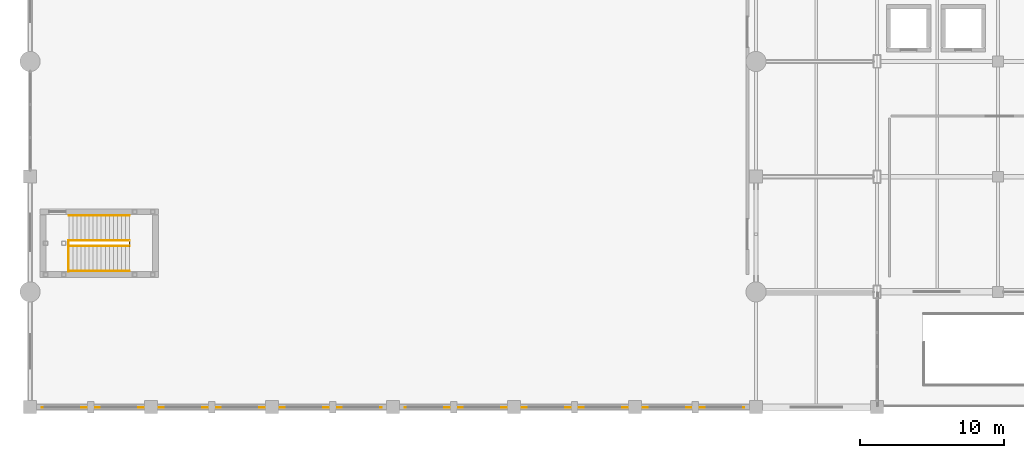
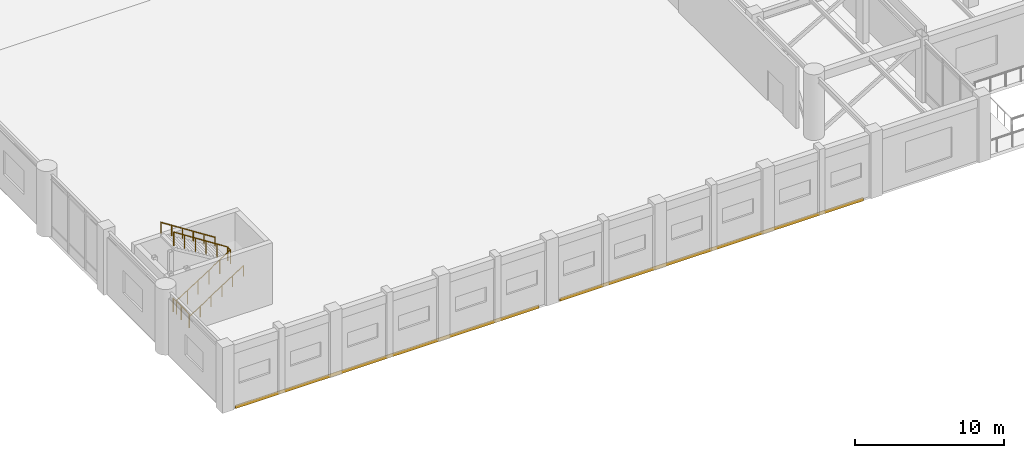
# One storey, part 70 of 79: 6 railings, 2 coverings.
"""IFC4 building model written with IfcOpenShell, lengths in metres."""

from ifc_helpers import new_model, si_unit, direction, frame, origin, origin_2d, place, context, subcontext, project, spatial, rectangle, circle, extrude, material, layer, layer_set, type_object, element, save


model = new_model("IFC4")

# Units and contexts
model_context = context("Model", 3, precision=1e-05, world=origin(), true_north=direction((0.0, 1.0)))
body_context = subcontext(model_context, "Body", "Model", "MODEL_VIEW")
ifc_project = project(units=[si_unit("LENGTHUNIT", "METRE"), si_unit("AREAUNIT", "SQUARE_METRE"), si_unit("VOLUMEUNIT", "CUBIC_METRE"), si_unit("PLANEANGLEUNIT", "RADIAN"), si_unit("MASSUNIT", "GRAM", prefix="KILO")], contexts=[model_context])

# Site, building, storey
site_placement = place(None, origin())
site = spatial("IfcSite", under=ifc_project, at=site_placement, CompositionType="ELEMENT")
building_placement = place(site_placement, origin())
building = spatial("IfcBuilding", under=site, at=building_placement, Name="Naruveol Harbour Congress Hotel", CompositionType="ELEMENT")
storey_placement = place(building_placement, frame((0.0, 0.0, 6.0)))
storey = spatial("IfcBuildingStorey", under=building, at=storey_placement, Name="L01", CompositionType="ELEMENT", Elevation=6.0)

# Coverings
ifc_material_1 = material(Name="Precast concrete C40/50", Category="concrete")
ifc_layer_1 = layer(ifc_material_1, 0.044921875)
ifc_layer_set_1 = layer_set([ifc_layer_1], Name="Precast concrete C40/50")
covering_type = type_object("IfcCoveringType", Name="HONED INCHEON GRANITE SPANDREL CLADDING 45", PredefinedType="CLADDING", material=ifc_layer_set_1)
for number, where, z_axis, x_axis, name in (
    (1, (12.60009765625, -0.02001953125, -0.2900390625), (0.0, 0.0, 1.0), (1.0, 0.0, 0.0), "Granite spandrel fascia cladding #1"),
    (2, (37.800048828125, -0.02001953125, -0.2900390625), (0.0, 0.0, 1.0), (1.0, 0.0, 0.0), "Granite spandrel fascia cladding #2"),
):
    element("IfcCovering", number, at=place(storey_placement, frame(where, z_axis=z_axis, x_axis=x_axis)), inside=storey, type_object=covering_type, Name=name, PredefinedType="CLADDING", context=body_context, shape_type="SweptSolid", body=[
        extrude(rectangle(XDim=23.60009765625, YDim=0.044921875, at=origin_2d()), origin(), (0.0, 0.0, 1.0), 0.280029296875),
    ])

# Railings
ifc_material_2 = material(Name="Stainless Steel 304", Category="steel")
ifc_layer_2 = layer(ifc_material_2, 0.0419921875)
ifc_layer_set_2 = layer_set([ifc_layer_2], Name="Stainless Steel 304")
railing_type_1 = type_object("IfcRailingType", Name="STAIR WALL MOUNTED HANDRAIL 900", PredefinedType="HANDRAIL", material=ifc_layer_set_2)
railing_1_placement = place(storey_placement, frame((2.699951171875, 9.4599609375, 0.0)))
element("IfcRailing", 3, at=railing_1_placement, inside=storey, type_object=railing_type_1, Name="Stair ST5 L01 lower wall handrail", PredefinedType="HANDRAIL", context=body_context, shape_type="SweptSolid", body=[
    extrude(circle(Radius=0.02392578125, at=origin_2d()), frame((0.0, 0.0, 0.8759765625), z_axis=(0.841180064094, 0.0, 0.540755119968), x_axis=(0.0, 1.0, 0.0)), (0.0, 0.0, 1.0), 4.992919921875),
    extrude(circle(Radius=0.02099609375, at=origin_2d()), origin(), (0.0, 0.0, 1.0), 0.851806640625),
    extrude(circle(Radius=0.02099609375, at=origin_2d()), frame((0.840087890625, 0.0, 0.5400390625)), (0.0, 0.0, 1.0), 0.851806640625),
    extrude(circle(Radius=0.02099609375, at=origin_2d()), frame((1.679931640625, 0.0, 1.080078125)), (0.0, 0.0, 1.0), 0.851806640625),
    extrude(circle(Radius=0.02099609375, at=origin_2d()), frame((2.52001953125, 0.0, 1.619873046875)), (0.0, 0.0, 1.0), 0.851806640625),
    extrude(circle(Radius=0.02099609375, at=origin_2d()), frame((3.35986328125, 0.0, 2.159912109375)), (0.0, 0.0, 1.0), 0.851806640625),
    extrude(circle(Radius=0.02099609375, at=origin_2d()), frame((4.199951171875, 0.0, 2.699951171875)), (0.0, 0.0, 1.0), 0.851806640625),
])
railing_2_placement = place(storey_placement, frame((6.89990234375, 13.300048828125, 2.699951171875)))
element("IfcRailing", 4, at=railing_2_placement, inside=storey, type_object=railing_type_1, Name="Stair ST5 L01 upper wall handrail", PredefinedType="HANDRAIL", context=body_context, shape_type="SweptSolid", body=[
    extrude(circle(Radius=0.02392578125, at=origin_2d()), frame((0.0, 0.0, 0.8759765625), z_axis=(-0.841180064094, 0.0, 0.540755119968), x_axis=(0.0, -1.0, 0.0)), (0.0, 0.0, 1.0), 4.992919921875),
    extrude(circle(Radius=0.02099609375, at=origin_2d()), origin(), (0.0, 0.0, 1.0), 0.851806640625),
    extrude(circle(Radius=0.02099609375, at=origin_2d()), frame((-0.840087890625, 0.0, 0.5400390625)), (0.0, 0.0, 1.0), 0.851806640625),
    extrude(circle(Radius=0.02099609375, at=origin_2d()), frame((-1.679931640625, 0.0, 1.080078125)), (0.0, 0.0, 1.0), 0.851806640625),
    extrude(circle(Radius=0.02099609375, at=origin_2d()), frame((-2.52001953125, 0.0, 1.619873046875)), (0.0, 0.0, 1.0), 0.851806640625),
    extrude(circle(Radius=0.02099609375, at=origin_2d()), frame((-3.35986328125, 0.0, 2.159912109375)), (0.0, 0.0, 1.0), 0.851806640625),
    extrude(circle(Radius=0.02099609375, at=origin_2d()), frame((-4.199951171875, 0.0, 2.699951171875)), (0.0, 0.0, 1.0), 0.851806640625),
])
ifc_material_3 = material(Name="Steel SN490", Category="steel")
ifc_layer_3 = layer(ifc_material_3, 0.044921875)
ifc_layer_set_3 = layer_set([ifc_layer_3], Name="Steel SN490")
railing_type_2 = type_object("IfcRailingType", Name="STAIRWELL STEEL GUARDRAIL 1150", PredefinedType="GUARDRAIL", material=ifc_layer_set_3)
railing_3_placement = place(storey_placement, frame((2.699951171875, 11.18994140625, 0.0)))
element("IfcRailing", 5, at=railing_3_placement, inside=storey, type_object=railing_type_2, Name="Stair ST5 L01 lower well guard", PredefinedType="GUARDRAIL", context=body_context, shape_type="SweptSolid", body=[
    extrude(circle(Radius=0.02392578125, at=origin_2d()), frame((0.0, 0.0, 1.1259765625), z_axis=(0.841180064094, 0.0, 0.540755119968), x_axis=(0.0, 1.0, 0.0)), (0.0, 0.0, 1.0), 4.992919921875),
    extrude(circle(Radius=0.02099609375, at=origin_2d()), origin(), (0.0, 0.0, 1.0), 1.101806640625),
    extrude(circle(Radius=0.02099609375, at=origin_2d()), frame((0.840087890625, 0.0, 0.5400390625)), (0.0, 0.0, 1.0), 1.101806640625),
    extrude(circle(Radius=0.02099609375, at=origin_2d()), frame((1.679931640625, 0.0, 1.080078125)), (0.0, 0.0, 1.0), 1.101806640625),
    extrude(circle(Radius=0.02099609375, at=origin_2d()), frame((2.52001953125, 0.0, 1.619873046875)), (0.0, 0.0, 1.0), 1.101806640625),
    extrude(circle(Radius=0.02099609375, at=origin_2d()), frame((3.35986328125, 0.0, 2.159912109375)), (0.0, 0.0, 1.0), 1.101806640625),
    extrude(circle(Radius=0.02099609375, at=origin_2d()), frame((4.199951171875, 0.0, 2.699951171875)), (0.0, 0.0, 1.0), 1.101806640625),
])
railing_4_placement = place(storey_placement, frame((6.89990234375, 11.18994140625, 2.699951171875)))
element("IfcRailing", 6, at=railing_4_placement, inside=storey, type_object=railing_type_2, Name="Stair ST5 L01 half-landing slot guard", PredefinedType="GUARDRAIL", context=body_context, shape_type="SweptSolid", body=[
    extrude(circle(Radius=0.02392578125, at=origin_2d()), frame((0.0, 0.0, 1.1259765625), z_axis=(0.0, 1.0, 0.0), x_axis=(-1.0, 0.0, 0.0)), (0.0, 0.0, 1.0), 0.380126953125),
    extrude(circle(Radius=0.02099609375, at=origin_2d()), origin(), (0.0, 0.0, 1.0), 1.101806640625),
    extrude(circle(Radius=0.02099609375, at=origin_2d()), frame((0.0, 0.380126953125, 0.0)), (0.0, 0.0, 1.0), 1.101806640625),
])
railing_5_placement = place(storey_placement, frame((6.89990234375, 11.570068359375, 2.699951171875)))
element("IfcRailing", 7, at=railing_5_placement, inside=storey, type_object=railing_type_2, Name="Stair ST5 L01 upper well guard", PredefinedType="GUARDRAIL", context=body_context, shape_type="SweptSolid", body=[
    extrude(circle(Radius=0.02392578125, at=origin_2d()), frame((0.0, 0.0, 1.1259765625), z_axis=(-0.841180064094, 0.0, 0.540755119968), x_axis=(0.0, -1.0, 0.0)), (0.0, 0.0, 1.0), 4.992919921875),
    extrude(circle(Radius=0.02099609375, at=origin_2d()), origin(), (0.0, 0.0, 1.0), 1.101806640625),
    extrude(circle(Radius=0.02099609375, at=origin_2d()), frame((-0.840087890625, 0.0, 0.5400390625)), (0.0, 0.0, 1.0), 1.101806640625),
    extrude(circle(Radius=0.02099609375, at=origin_2d()), frame((-1.679931640625, 0.0, 1.080078125)), (0.0, 0.0, 1.0), 1.101806640625),
    extrude(circle(Radius=0.02099609375, at=origin_2d()), frame((-2.52001953125, 0.0, 1.619873046875)), (0.0, 0.0, 1.0), 1.101806640625),
    extrude(circle(Radius=0.02099609375, at=origin_2d()), frame((-3.35986328125, 0.0, 2.159912109375)), (0.0, 0.0, 1.0), 1.101806640625),
    extrude(circle(Radius=0.02099609375, at=origin_2d()), frame((-4.199951171875, 0.0, 2.699951171875)), (0.0, 0.0, 1.0), 1.101806640625),
])
railing_6_placement = place(storey_placement, frame((2.659912109375, 9.419921875, 0.0)))
element("IfcRailing", 8, at=railing_6_placement, inside=storey, type_object=railing_type_2, Name="Stair ST5 L01 landing well guard", PredefinedType="GUARDRAIL", context=body_context, shape_type="SweptSolid", body=[
    extrude(circle(Radius=0.02392578125, at=origin_2d()), frame((0.0, 0.0, 1.1259765625), z_axis=(0.0, 1.0, 0.0), x_axis=(-1.0, 0.0, 0.0)), (0.0, 0.0, 1.0), 2.150146484375),
    extrude(circle(Radius=0.02099609375, at=origin_2d()), origin(), (0.0, 0.0, 1.0), 1.101806640625),
    extrude(circle(Radius=0.02099609375, at=origin_2d()), frame((0.0, 1.0751953125, 0.0)), (0.0, 0.0, 1.0), 1.101806640625),
    extrude(circle(Radius=0.02099609375, at=origin_2d()), frame((0.0, 2.150146484375, 0.0)), (0.0, 0.0, 1.0), 1.101806640625),
])

save(model, "model.ifc")
